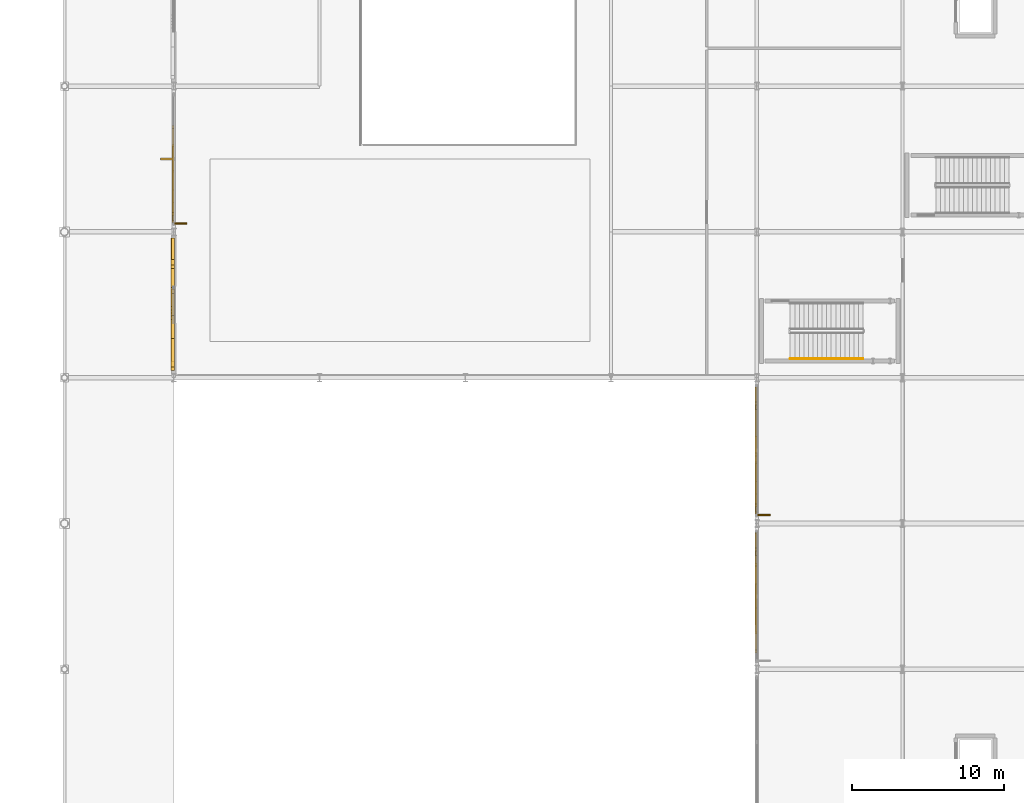
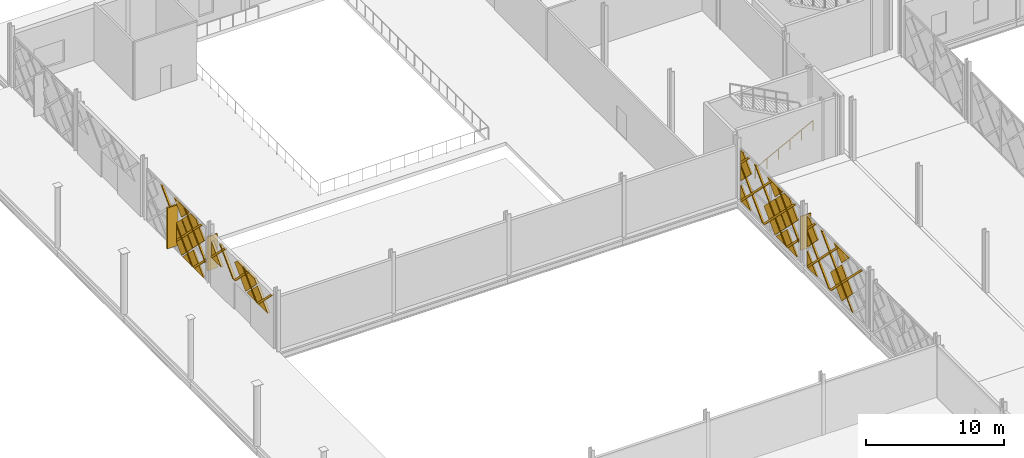
# One storey, part 73 of 84: 39 coverings, 2 shading devices, 1 railing.
"""IFC4 building model written with IfcOpenShell, lengths in metres."""

from ifc_helpers import new_model, si_unit, direction, frame, origin, origin_2d, place, context, subcontext, project, spatial, polyline, rectangle, circle, outline, extrude, material, layer, layer_set, type_object, element, save


model = new_model("IFC4")

# Units and contexts
model_context = context("Model", 3, precision=1e-05, world=origin(), true_north=direction((0.0, 1.0)))
body_context = subcontext(model_context, "Body", "Model", "MODEL_VIEW")
ifc_project = project(units=[si_unit("LENGTHUNIT", "METRE"), si_unit("AREAUNIT", "SQUARE_METRE"), si_unit("VOLUMEUNIT", "CUBIC_METRE"), si_unit("PLANEANGLEUNIT", "RADIAN"), si_unit("MASSUNIT", "GRAM", prefix="KILO")], contexts=[model_context])

# Site, building, storey
site_placement = place(None, origin())
site = spatial("IfcSite", under=ifc_project, at=site_placement, CompositionType="ELEMENT")
building_placement = place(site_placement, origin())
building = spatial("IfcBuilding", under=site, at=building_placement, Name="Zevrakil Square Congress Hotel", CompositionType="ELEMENT")
storey_placement = place(building_placement, origin())
storey = spatial("IfcBuildingStorey", under=building, at=storey_placement, Name="L01", CompositionType="ELEMENT", Elevation=0.0)

# Coverings
ifc_material_1 = material(Name="Architectural White Fibre-C GRC", Category="concrete")
ifc_layer_1 = layer(ifc_material_1, 0.06494140625)
ifc_layer_set_1 = layer_set([ifc_layer_1], Name="Architectural White Fibre-C GRC")
covering_type_1 = type_object("IfcCoveringType", Name="COV-DIA-WHITE", PredefinedType="CLADDING", material=ifc_layer_set_1)
covering_1_placement = place(storey_placement, frame((7.0400390625, 82.18994140625, 2.6298828125), z_axis=(-0.999999760208, 0.0, 0.00069252061), x_axis=(0.0, 1.0, 0.0)))
element("IfcCovering", 1, at=covering_1_placement, inside=storey, type_object=covering_type_1, Name="L01 45-degree white GRC diamond facade cassette 385", PredefinedType="CLADDING", context=body_context, shape_type="SweptSolid", body=[
    extrude(outline(polyline([(0.0, 0.0), (1.41015625, 0.0), (1.41015625, -1.4101565881448694), (0.0, 0.0)])), origin(), (0.0, 0.0, -1.0), 0.199951171875),
])
covering_2_placement = place(storey_placement, frame((7.041015625, 76.97998046875, 4.139892578125), z_axis=(-0.999999790873, 0.0, 0.000646725815), x_axis=(-0.000457304257, -0.707106707249, -0.707106707249)))
element("IfcCovering", 2, at=covering_2_placement, inside=storey, type_object=covering_type_1, Name="L01 45-degree white GRC diamond facade cassette 386", PredefinedType="CLADDING", context=body_context, shape_type="SweptSolid", body=[
    extrude(outline(polyline([(0.0, 0.0), (2.1354765131557993, 0.0), (4.465861884739297e-07, -2.1354765131557527), (0.0, 0.0)])), origin(), (0.0, 0.0, -1.0), 0.199951171875),
])
covering_3_placement = place(storey_placement, frame((7.041015625, 77.070068359375, 4.22998046875), z_axis=(-0.999999784495, 0.0, 0.000656513028), x_axis=(-0.000464260497, 0.707052424308, -0.70716098149)))
element("IfcCovering", 3, at=covering_3_placement, inside=storey, type_object=covering_type_1, Name="L01 45-degree white GRC diamond facade cassette 387", PredefinedType="CLADDING", context=body_context, shape_type="SweptSolid", body=[
    extrude(outline(polyline([(0.0, 0.0), (2.2485514444780814, 2.220446049250313e-16), (2.2483783756383535, -2.248724064666415), (1.8029839035337767, -2.248689892857733), (-3.430249636549032e-05, -0.44539447209453087), (0.0, 0.0)])), origin(), (0.0, 0.0, -1.0), 0.199951171875),
])
covering_4_placement = place(storey_placement, frame((7.10595703125, 86.360107421875, 1.590087890625), z_axis=(-0.999999790873, 0.0, 0.000646725815), x_axis=(-0.000457304257, -0.707106707249, -0.707106707249)))
element("IfcCovering", 4, at=covering_4_placement, inside=storey, type_object=covering_type_1, Name="L01 45-degree white GRC diamond facade cassette 394", PredefinedType="CLADDING", context=body_context, shape_type="SweptSolid", body=[
    extrude(outline(polyline([(0.0, 0.0), (2.1354765131557993, 0.0), (4.465861884739297e-07, -2.1354765131557527), (0.0, 0.0)])), origin(), (0.0, 0.0, -1.0), 0.1201171875),
])
covering_5_placement = place(storey_placement, frame((7.10693359375, 88.0400390625, 3.27001953125), z_axis=(-0.999999811377, 0.0, 0.000614203339), x_axis=(-0.000434307387, -0.707106714509, -0.707106714488)))
element("IfcCovering", 5, at=covering_5_placement, inside=storey, type_object=covering_type_1, Name="L01 45-degree white GRC diamond facade cassette 395", PredefinedType="CLADDING", context=body_context, shape_type="SweptSolid", body=[
    extrude(outline(polyline([(0.0, 0.0), (2.2487240723349844, 0.0), (2.2485518629555123, -2.248551438892285), (0.00017305757096663932, -2.248551438827165), (0.0, 0.0)])), origin(), (0.0, 0.0, -1.0), 0.1201171875),
])
covering_6_placement = place(storey_placement, frame((7.10693359375, 84.77001953125, 3.360107421875), z_axis=(-0.999999855953, 0.0, 0.000536744415), x_axis=(-0.000379535635, 0.707106744705, -0.707106715812)))
element("IfcCovering", 6, at=covering_6_placement, inside=storey, type_object=covering_type_1, Name="L01 45-degree white GRC diamond facade cassette 397", PredefinedType="CLADDING", context=body_context, shape_type="SweptSolid", body=[
    extrude(outline(polyline([(0.0, 0.0), (2.2487239763059987, 2.220446049250313e-16), (2.248551110785617, -2.248551342805579), (0.5727976514992238, -2.248378780155331), (0.0001723897352398085, -1.6757534593041905), (0.0, 0.0)])), origin(), (0.0, 0.0, -1.0), 0.1201171875),
])
covering_7_placement = place(storey_placement, frame((7.107177734375, 88.0400390625, 3.449951171875), z_axis=(-0.999999900573, 0.0, 0.000445930836), x_axis=(0.000315320734, 0.707106746034, 0.707106746034)))
element("IfcCovering", 7, at=covering_7_placement, inside=storey, type_object=covering_type_1, Name="L01 45-degree white GRC diamond facade cassette 398", PredefinedType="CLADDING", context=body_context, shape_type="SweptSolid", body=[
    extrude(outline(polyline([(0.0, 0.0), (1.548522495743182, 1.1102230246251565e-16), (1.5396520214316922e-07, -1.5485224957431742), (0.0, 0.0)])), origin(), (0.0, 0.0, -1.0), 0.1201171875),
])
covering_8_placement = place(storey_placement, frame((45.5048828125, 62.77001953125, 0.080078125), z_axis=(-0.999999760125, 0.0, 0.000692640526), x_axis=(0.0, 1.0, 0.0)))
element("IfcCovering", 8, at=covering_8_placement, inside=storey, type_object=covering_type_1, Name="L01 45-degree white GRC diamond facade cassette 452", PredefinedType="CLADDING", context=body_context, shape_type="SweptSolid", body=[
    extrude(outline(polyline([(0.0, 0.0), (1.409912109375, 0.0), (1.409912109375, -1.4099124475784228), (0.0, 0.0)])), origin(), (0.0, 0.0, -1.0), 0.1201171875),
])
covering_9_placement = place(storey_placement, frame((45.507080078125, 59.239990234375, 3.27001953125), z_axis=(-0.999999811377, 0.0, 0.000614203339), x_axis=(-0.000434307387, -0.707106714509, -0.707106714488)))
element("IfcCovering", 9, at=covering_9_placement, inside=storey, type_object=covering_type_1, Name="L01 45-degree white GRC diamond facade cassette 454", PredefinedType="CLADDING", context=body_context, shape_type="SweptSolid", body=[
    extrude(outline(polyline([(0.0, 0.0), (2.2487240723349844, 0.0), (2.2485518629555123, -2.248551438892285), (4.240957449663796e-07, -2.2487240723349444), (0.0, 0.0)])), origin(), (0.0, 0.0, -1.0), 0.1201171875),
])
covering_10_placement = place(storey_placement, frame((45.507080078125, 62.68994140625, 3.360107421875), z_axis=(-0.999999796877, -1.5124946e-05, 0.000637194918), x_axis=(-0.000461259844, 0.707106705284, -0.707106706645)))
element("IfcCovering", 10, at=covering_10_placement, inside=storey, type_object=covering_type_1, Name="L01 45-degree white GRC diamond facade cassette 455", PredefinedType="CLADDING", context=body_context, shape_type="SweptSolid", body=[
    extrude(outline(polyline([(0.0, 0.0), (2.1071646235448194, 0.0), (0.21579150176201334, -1.8913727160652014), (0.00017229402297236351, -1.6757534620850172), (0.0, 0.0)])), origin(), (0.0, 0.0, -1.0), 0.1201171875),
])
covering_11_placement = place(storey_placement, frame((45.507080078125, 59.239990234375, 3.449951171875), z_axis=(-0.999999776289, 0.0, 0.000668896171), x_axis=(0.000472981072, 0.707106702093, 0.707106702093)))
element("IfcCovering", 11, at=covering_11_placement, inside=storey, type_object=covering_type_1, Name="L01 45-degree white GRC diamond facade cassette 457", PredefinedType="CLADDING", context=body_context, shape_type="SweptSolid", body=[
    extrude(outline(polyline([(0.0, 0.0), (1.5485225919714303, 1.1102230246251565e-16), (3.464216833393152e-07, -1.5485225919713916), (0.0, 0.0)])), origin(), (0.0, 0.0, -1.0), 0.1201171875),
])
covering_12_placement = place(storey_placement, frame((45.5048828125, 72.3701171875, 0.080078125), z_axis=(-0.999999760125, 0.0, 0.000692640526), x_axis=(0.0, 1.0, 0.0)))
element("IfcCovering", 12, at=covering_12_placement, inside=storey, type_object=covering_type_1, Name="L01 45-degree white GRC diamond facade cassette 475", PredefinedType="CLADDING", context=body_context, shape_type="SweptSolid", body=[
    extrude(outline(polyline([(0.0, 0.0), (1.409912109375, 0.0), (1.409912109375, -1.4099124475784228), (0.0, 0.0)])), origin(), (0.0, 0.0, -1.0), 0.1201171875),
])
covering_13_placement = place(storey_placement, frame((45.506103515625, 67.159912109375, 1.590087890625), z_axis=(-0.999999673239, 0.0, 0.000808407173), x_axis=(-0.000571630288, -0.707106665659, -0.707106665659)))
element("IfcCovering", 13, at=covering_13_placement, inside=storey, type_object=covering_type_1, Name="L01 45-degree white GRC diamond facade cassette 476", PredefinedType="CLADDING", context=body_context, shape_type="SweptSolid", body=[
    extrude(outline(polyline([(0.0, 0.0), (2.1354766387581616, -2.220446049250313e-16), (6.977908784122633e-07, -2.135476638758047), (0.0, 0.0)])), origin(), (0.0, 0.0, -1.0), 0.1201171875),
])
covering_14_placement = place(storey_placement, frame((45.507080078125, 68.840087890625, 3.27001953125), z_axis=(-0.999999811377, 0.0, 0.000614203339), x_axis=(-0.000434307387, -0.707106714509, -0.707106714488)))
element("IfcCovering", 14, at=covering_14_placement, inside=storey, type_object=covering_type_1, Name="L01 45-degree white GRC diamond facade cassette 477", PredefinedType="CLADDING", context=body_context, shape_type="SweptSolid", body=[
    extrude(outline(polyline([(0.0, 0.0), (2.2487240723349844, 0.0), (2.2485518629555123, -2.248551438892285), (0.00017305757096663932, -2.248551438827165), (0.0, 0.0)])), origin(), (0.0, 0.0, -1.0), 0.1201171875),
])
covering_15_placement = place(storey_placement, frame((45.507080078125, 72.2900390625, 3.360107421875), z_axis=(-0.999999796877, -1.5124946e-05, 0.000637194918), x_axis=(-0.000461259844, 0.707106705284, -0.707106706645)))
element("IfcCovering", 15, at=covering_15_placement, inside=storey, type_object=covering_type_1, Name="L01 45-degree white GRC diamond facade cassette 478", PredefinedType="CLADDING", context=body_context, shape_type="SweptSolid", body=[
    extrude(outline(polyline([(0.0, 0.0), (2.1071646235448194, 0.0), (0.21579150176201334, -1.8913727160652014), (0.00017229402297236351, -1.6757534620850172), (0.0, 0.0)])), origin(), (0.0, 0.0, -1.0), 0.1201171875),
])
covering_16_placement = place(storey_placement, frame((45.507080078125, 65.570068359375, 3.360107421875), z_axis=(-0.999999810212, 0.0, 0.000616097645), x_axis=(-0.00043568031, 0.707052423992, -0.707160999992)))
element("IfcCovering", 16, at=covering_16_placement, inside=storey, type_object=covering_type_1, Name="L01 45-degree white GRC diamond facade cassette 479", PredefinedType="CLADDING", context=body_context, shape_type="SweptSolid", body=[
    extrude(outline(polyline([(0.0, 0.0), (2.2485514454846505, 2.220446049250313e-16), (2.248378374631862, -2.2487240656727514), (0.572624930769719, -2.248422777544064), (-0.00012896151653973842, -1.6755808236168326), (0.0, 0.0)])), origin(), (0.0, 0.0, -1.0), 0.1201171875),
])
covering_17_placement = place(storey_placement, frame((45.507080078125, 68.840087890625, 3.449951171875), z_axis=(-0.999999776289, 0.0, 0.000668896171), x_axis=(0.000472981072, 0.707106702093, 0.707106702093)))
element("IfcCovering", 17, at=covering_17_placement, inside=storey, type_object=covering_type_1, Name="L01 45-degree white GRC diamond facade cassette 480", PredefinedType="CLADDING", context=body_context, shape_type="SweptSolid", body=[
    extrude(outline(polyline([(0.0, 0.0), (1.5485225919714303, 1.1102230246251565e-16), (3.464216833393152e-07, -1.5485225919713916), (0.0, 0.0)])), origin(), (0.0, 0.0, -1.0), 0.1201171875),
])
ifc_material_2 = material(Name="Anodised Champagne Aluminium", Category="aluminium")
ifc_layer_2 = layer(ifc_material_2, 0.0849609375)
ifc_layer_set_2 = layer_set([ifc_layer_2], Name="Anodised Champagne Aluminium")
covering_type_2 = type_object("IfcCoveringType", Name="COV-DIAGRID-45", PredefinedType="MOLDING", material=ifc_layer_set_2)
covering_18_placement = place(storey_placement, frame((7.014892578125, 83.513916015625, 2.6298828125), z_axis=(-0.999999417886, 0.000393227079, 0.001004789027), x_axis=(0.000393226881, 0.999999922686, -3.9511e-07)))
element("IfcCovering", 18, at=covering_18_placement, inside=storey, type_object=covering_type_2, Name="L01 45-degree aluminium diagrid rib 388", PredefinedType="MOLDING", context=body_context, shape_type="SweptSolid", body=[
    extrude(outline(polyline([(0.0, 0.0), (0.08618163396197238, -4.562418066112793e-24), (0.08618168009353086, -0.12622088471854073), (-1.702881004357207, -1.915039322336141), (-1.9150391910794562, -1.915039322336141), (0.0, 0.0)])), origin(), (0.0, 0.0, -1.0), 0.22509765625),
])
covering_19_placement = place(storey_placement, frame((7.014892578125, 80.15380859375, 2.6298828125), z_axis=(-0.999999796842, 0.0, 0.000637429753), x_axis=(0.0, 1.0, 0.0)))
element("IfcCovering", 19, at=covering_19_placement, inside=storey, type_object=covering_type_2, Name="L01 45-degree aluminium diagrid rib 389", PredefinedType="MOLDING", context=body_context, shape_type="SweptSolid", body=[
    extrude(outline(polyline([(0.0, 0.0), (0.21240234375, 0.0), (-1.70263671875, -1.9150394515562854), (-1.914794921875, -1.9150394515562854), (0.0, 0.0)])), origin(), (0.0, 0.0, -1.0), 0.22509765625),
])
covering_20_placement = place(storey_placement, frame((7.014892578125, 76.7939453125, 2.6298828125), z_axis=(-0.999999796842, 0.0, 0.000637429753), x_axis=(0.0, 1.0, 0.0)))
element("IfcCovering", 20, at=covering_20_placement, inside=storey, type_object=covering_type_2, Name="L01 45-degree aluminium diagrid rib 390", PredefinedType="MOLDING", context=body_context, shape_type="SweptSolid", body=[
    extrude(outline(polyline([(0.0, 0.0), (0.212158203125, 0.0), (-1.702880859375, -1.9150394515562854), (-1.9150390625, -1.9150394515562854), (0.0, 0.0)])), origin(), (0.0, 0.0, -1.0), 0.22509765625),
])
for number, where, z_axis, x_axis, name in (
    (21, (7.01611328125, 82.441162109375, 4.544921875), (-0.999999796842, 0.0, 0.000637429753), (0.0, -1.0, 0.0), "L01 45-degree aluminium diagrid rib 391"),
    (22, (7.01611328125, 79.0810546875, 4.544921875), (-0.999999796842, 0.0, 0.000637429753), (0.0, -1.0, 0.0), "L01 45-degree aluminium diagrid rib 392"),
):
    element("IfcCovering", number, at=place(storey_placement, frame(where, z_axis=z_axis, x_axis=x_axis)), inside=storey, type_object=covering_type_2, Name=name, PredefinedType="MOLDING", context=body_context, shape_type="SweptSolid", body=[
        extrude(outline(polyline([(0.0, 0.0), (0.212158203125, 0.0), (2.127197265625, -1.9150394515562854), (1.9150390625, -1.9150394515562854), (0.0, 0.0)])), origin(), (0.0, 0.0, -1.0), 0.22509765625),
    ])
covering_21_placement = place(storey_placement, frame((7.080078125, 89.533935546875, 0.080078125), z_axis=(-0.999999819107, 0.0, 0.000601487205), x_axis=(0.0, 1.0, 0.0)))
element("IfcCovering", 23, at=covering_21_placement, inside=storey, type_object=covering_type_2, Name="L01 45-degree aluminium diagrid rib 401", PredefinedType="MOLDING", context=body_context, shape_type="SweptSolid", body=[
    extrude(outline(polyline([(0.0, 0.0), (0.212158203125, 0.0), (-4.2529296875, -4.464844557661115), (-4.465087890625, -4.464844557661115), (0.0, 0.0)])), origin(), (0.0, 0.0, -1.0), 0.14501953125),
])
covering_22_placement = place(storey_placement, frame((7.080078125, 86.173828125, 0.080078125), z_axis=(-0.999999913463, -0.000294340865, 0.000294002542), x_axis=(-0.000294340852, 0.999999956682, 8.6537e-08)))
element("IfcCovering", 24, at=covering_22_placement, inside=storey, type_object=covering_type_2, Name="L01 45-degree aluminium diagrid rib 402", PredefinedType="MOLDING", context=body_context, shape_type="SweptSolid", body=[
    extrude(outline(polyline([(0.0, 0.0), (0.21215819393467297, 0.0), (-1.553711004804078, -1.7661134920326582), (-1.5537110231847324, -1.5537111574624223), (0.0, 0.0)])), origin(), (0.0, 0.0, -1.0), 0.14501953125),
])
covering_23_placement = place(storey_placement, frame((7.082763671875, 91.010986328125, 4.544921875), z_axis=(-0.999999819107, 0.0, 0.000601487205), x_axis=(0.0, -1.0, 0.0)))
element("IfcCovering", 25, at=covering_23_placement, inside=storey, type_object=covering_type_2, Name="L01 45-degree aluminium diagrid rib 404", PredefinedType="MOLDING", context=body_context, shape_type="SweptSolid", body=[
    extrude(outline(polyline([(0.0, 0.0), (0.212158203125, 0.0), (4.677001953125, -4.464844557661115), (4.46484375, -4.464844557661115), (0.0, 0.0)])), origin(), (0.0, 0.0, -1.0), 0.14501953125),
])
covering_24_placement = place(storey_placement, frame((7.082763671875, 87.651123046875, 4.544921875), z_axis=(-0.999999570971, -0.000262365241, 0.000888382251), x_axis=(0.000262365138, -0.999999965582, -2.33081e-07)))
element("IfcCovering", 26, at=covering_24_placement, inside=storey, type_object=covering_type_2, Name="L01 45-degree aluminium diagrid rib 405", PredefinedType="MOLDING", context=body_context, shape_type="SweptSolid", body=[
    extrude(outline(polyline([(0.0, 0.0), (0.21215819582298975, 0.0), (3.031005963695437, -2.8188480621314063), (3.0310059490914165, -3.03100639842652), (0.0, 0.0)])), origin(), (0.0, 0.0, -1.0), 0.14501953125),
])
covering_25_placement = place(storey_placement, frame((45.48193359375, 64.179931640625, 3.35400390625), z_axis=(-0.99999958981, 0.000294064094, 0.00085668342), x_axis=(0.000856683482, 8.6474e-08, 0.999999633047)))
element("IfcCovering", 27, at=covering_25_placement, inside=storey, type_object=covering_type_2, Name="L01 45-degree aluminium diagrid rib 458", PredefinedType="MOLDING", context=body_context, shape_type="SweptSolid", body=[
    extrude(outline(polyline([(0.0, 0.0), (0.21215833442407417, 0.0), (1.190918074555448, -0.9787599109265143), (1.1909180562093564, -1.1909181048784618), (0.0, 0.0)])), origin(), (0.0, 0.0, -1.0), 0.14501953125),
])
covering_26_placement = place(storey_placement, frame((45.47998046875, 64.093994140625, 0.080078125), z_axis=(-0.999999892865, -0.000180190457, 0.000426380907), x_axis=(-0.000180190441, 0.999999983766, 7.683e-08)))
element("IfcCovering", 28, at=covering_26_placement, inside=storey, type_object=covering_type_2, Name="L01 45-degree aluminium diagrid rib 459", PredefinedType="MOLDING", context=body_context, shape_type="SweptSolid", body=[
    extrude(outline(polyline([(0.0, 0.0), (0.0859374986048648, 0.0), (0.08593750828361532, -0.1259765510486869), (-4.252929759333611, -4.46484448921009), (-4.465087959014371, -4.46484448921009), (0.0, 0.0)])), origin(), (0.0, 0.0, -1.0), 0.14501953125),
])
covering_27_placement = place(storey_placement, frame((45.47998046875, 60.73388671875, 0.080078125), z_axis=(-0.999999819107, 0.0, 0.000601487205), x_axis=(0.0, 1.0, 0.0)))
element("IfcCovering", 29, at=covering_27_placement, inside=storey, type_object=covering_type_2, Name="L01 45-degree aluminium diagrid rib 460", PredefinedType="MOLDING", context=body_context, shape_type="SweptSolid", body=[
    extrude(outline(polyline([(0.0, 0.0), (0.212158203125, 0.0), (-4.252685546875, -4.464844557661115), (-4.465087890625, -4.464844557661115), (0.0, 0.0)])), origin(), (0.0, 0.0, -1.0), 0.14501953125),
])
covering_28_placement = place(storey_placement, frame((45.48193359375, 64.179931640625, 3.15380859375), z_axis=(-0.999999905689, 0.000307101698, 0.000307101698), x_axis=(0.000307101684, -9.4311e-08, 0.999999952844)))
element("IfcCovering", 30, at=covering_28_placement, inside=storey, type_object=covering_type_2, Name="L01 45-degree aluminium diagrid rib 462", PredefinedType="MOLDING", context=body_context, shape_type="SweptSolid", body=[
    extrude(outline(polyline([(0.0, 0.0), (0.21240233373401293, 2.81112161297318e-24), (-3.0737306136940044, -3.2861332573480344), (-3.0737306337259787, -3.0737309236140224), (0.0, 0.0)])), origin(), (0.0, 0.0, -1.0), 0.14501953125),
])
covering_29_placement = place(storey_placement, frame((45.482666015625, 62.211181640625, 4.544921875), z_axis=(-0.999999819107, 0.0, 0.000601487205), x_axis=(0.0, -1.0, 0.0)))
element("IfcCovering", 31, at=covering_29_placement, inside=storey, type_object=covering_type_2, Name="L01 45-degree aluminium diagrid rib 463", PredefinedType="MOLDING", context=body_context, shape_type="SweptSolid", body=[
    extrude(outline(polyline([(0.0, 0.0), (0.21240234375, 0.0), (4.67724609375, -4.464844557661115), (4.465087890625, -4.464844557661115), (0.0, 0.0)])), origin(), (0.0, 0.0, -1.0), 0.14501953125),
])
covering_30_placement = place(storey_placement, frame((45.48193359375, 73.780029296875, 3.35400390625), z_axis=(-0.999999589791, 0.000294031009, 0.000856716506), x_axis=(0.000856716568, 8.6454e-08, 0.999999633018)))
element("IfcCovering", 32, at=covering_30_placement, inside=storey, type_object=covering_type_2, Name="L01 45-degree aluminium diagrid rib 481", PredefinedType="MOLDING", context=body_context, shape_type="SweptSolid", body=[
    extrude(outline(polyline([(0.0, 0.0), (0.21215833442613818, 0.0), (1.190918074543862, -0.9790040515293733), (1.1909180562018982, -1.191162245483385), (0.0, 0.0)])), origin(), (0.0, 0.0, -1.0), 0.14501953125),
])
covering_31_placement = place(storey_placement, frame((45.47998046875, 73.69384765625, 0.080078125), z_axis=(-0.999999892841, -0.000180085904, 0.000426482509), x_axis=(-0.000180085888, 0.999999983785, 7.6803e-08)))
element("IfcCovering", 33, at=covering_31_placement, inside=storey, type_object=covering_type_2, Name="L01 45-degree aluminium diagrid rib 482", PredefinedType="MOLDING", context=body_context, shape_type="SweptSolid", body=[
    extrude(outline(polyline([(0.0, 0.0), (0.08618163922752449, 0.0), (0.08618164890296409, -0.12597655104322877), (-4.252685618629233, -4.464844489289502), (-4.464843818313988, -4.464844489289502), (0.0, 0.0)])), origin(), (0.0, 0.0, -1.0), 0.14501953125),
])
covering_32_placement = place(storey_placement, frame((45.47998046875, 70.333984375, 0.080078125), z_axis=(-0.999999819107, 0.0, 0.000601487205), x_axis=(0.0, 1.0, 0.0)))
element("IfcCovering", 34, at=covering_32_placement, inside=storey, type_object=covering_type_2, Name="L01 45-degree aluminium diagrid rib 483", PredefinedType="MOLDING", context=body_context, shape_type="SweptSolid", body=[
    extrude(outline(polyline([(0.0, 0.0), (0.212158203125, 0.0), (-4.2529296875, -4.464844557661115), (-4.465087890625, -4.464844557661115), (0.0, 0.0)])), origin(), (0.0, 0.0, -1.0), 0.14501953125),
])
covering_33_placement = place(storey_placement, frame((45.47998046875, 66.973876953125, 0.080078125), z_axis=(-0.999999560023, 0.000243912728, 0.000905792413), x_axis=(0.000243912628, 0.999999970253, -2.20934e-07)))
element("IfcCovering", 35, at=covering_33_placement, inside=storey, type_object=covering_type_2, Name="L01 45-degree aluminium diagrid rib 484", PredefinedType="MOLDING", context=body_context, shape_type="SweptSolid", body=[
    extrude(outline(polyline([(0.0, 0.0), (0.21215819681399145, 0.0), (-1.5539551243500522, -1.766113662440911), (-1.5539551369720694, -1.5537111846840042), (0.0, 0.0)])), origin(), (0.0, 0.0, -1.0), 0.14501953125),
])
covering_34_placement = place(storey_placement, frame((45.48193359375, 73.780029296875, 3.15380859375), z_axis=(-0.999999905692, 0.000307272394, 0.000306919207), x_axis=(0.000306919193, -9.4308e-08, 0.9999999529)))
element("IfcCovering", 36, at=covering_34_placement, inside=storey, type_object=covering_type_2, Name="L01 45-degree aluminium diagrid rib 485", PredefinedType="MOLDING", context=body_context, shape_type="SweptSolid", body=[
    extrude(outline(polyline([(0.0, 0.0), (0.2124023337459131, 2.81112161297318e-24), (-3.073730613521793, -3.286133257509114), (-3.0737306335299674, -3.0739750643997144), (0.0, 0.0)])), origin(), (0.0, 0.0, -1.0), 0.14501953125),
])
covering_35_placement = place(storey_placement, frame((45.482666015625, 71.81103515625, 4.544921875), z_axis=(-0.999999819107, 0.0, 0.000601487205), x_axis=(0.0, -1.0, 0.0)))
element("IfcCovering", 37, at=covering_35_placement, inside=storey, type_object=covering_type_2, Name="L01 45-degree aluminium diagrid rib 486", PredefinedType="MOLDING", context=body_context, shape_type="SweptSolid", body=[
    extrude(outline(polyline([(0.0, 0.0), (0.212158203125, 0.0), (4.67724609375, -4.464844557661115), (4.46484375, -4.464844557661115), (0.0, 0.0)])), origin(), (0.0, 0.0, -1.0), 0.14501953125),
])
covering_36_placement = place(storey_placement, frame((45.482666015625, 68.451171875, 4.544921875), z_axis=(-0.999999914661, 0.00029212918, 0.00029212918), x_axis=(-0.000292129167, -0.99999995733, 8.5339e-08)))
element("IfcCovering", 38, at=covering_36_placement, inside=storey, type_object=covering_type_2, Name="L01 45-degree aluminium diagrid rib 487", PredefinedType="MOLDING", context=body_context, shape_type="SweptSolid", body=[
    extrude(outline(polyline([(0.0, 0.0), (0.2121581940722668, 2.8078904387053947e-24), (3.0312501293426233, -2.8188480352147467), (3.0312501112371564, -3.031006229287013), (0.0, 0.0)])), origin(), (0.0, 0.0, -1.0), 0.14501953125),
])
ifc_material_3 = material(Name="Architectural White Fibre-C GRC", Category="concrete")
ifc_layer_3 = layer(ifc_material_3, 0.139892578125)
ifc_layer_set_3 = layer_set([ifc_layer_3], Name="Architectural White Fibre-C GRC")
covering_type_3 = type_object("IfcCoveringType", Name="COV-FIN-GRC90", PredefinedType="MOLDING", material=ifc_layer_set_3)
covering_37_placement = place(storey_placement, frame((6.780029296875, 88.800048828125, 0.512451171875), z_axis=(0.0, 0.0, 1.0), x_axis=(-1.0, 0.0, 0.0)))
element("IfcCovering", 39, at=covering_37_placement, inside=storey, type_object=covering_type_3, Name="L01 highland sun-breaker GRC fin 406", PredefinedType="MOLDING", context=body_context, shape_type="SweptSolid", body=[
    extrude(rectangle(XDim=0.89990234375, YDim=0.139892578125, at=origin_2d()), origin(), (0.0, 0.0, 1.0), 3.60009765625),
])

# Railing
ifc_material_4 = material(Name="Steel S355", Category="steel")
railing_type = type_object("IfcRailingType", Name="RLG-STAIR-HAND-900", PredefinedType="HANDRAIL", material=ifc_material_4)
railing_placement = place(storey_placement, frame((47.800048828125, 75.64990234375, 0.158935546875)))
element("IfcRailing", 40, at=railing_placement, inside=storey, type_object=railing_type, Name="L01 ST14 stair handrail 1", PredefinedType="HANDRAIL", context=body_context, shape_type="SweptSolid", body=[
    extrude(circle(Radius=0.02392578125, at=origin_2d()), frame((0.0, 0.0, 0.8759765625), z_axis=(0.883802130504, 0.0, 0.467860870469), x_axis=(0.0, 1.0, 0.0)), (0.0, 0.0, 1.0), 5.43115234375),
    extrude(circle(Radius=0.02099609375, at=origin_2d()), origin(), (0.0, 0.0, 1.0), 0.851806640625),
    extrude(circle(Radius=0.02099609375, at=origin_2d()), frame((0.9599609375, 0.0, 0.50830078125)), (0.0, 0.0, 1.0), 0.851806640625),
    extrude(circle(Radius=0.02099609375, at=origin_2d()), frame((1.919921875, 0.0, 1.016357421875)), (0.0, 0.0, 1.0), 0.851806640625),
    extrude(circle(Radius=0.02099609375, at=origin_2d()), frame((2.880126953125, 0.0, 1.524658203125)), (0.0, 0.0, 1.0), 0.851806640625),
    extrude(circle(Radius=0.02099609375, at=origin_2d()), frame((3.840087890625, 0.0, 2.03271484375)), (0.0, 0.0, 1.0), 0.851806640625),
    extrude(circle(Radius=0.02099609375, at=origin_2d()), frame((4.800048828125, 0.0, 2.541015625)), (0.0, 0.0, 1.0), 0.851806640625),
])

# Shading devices
ifc_material_5 = material(Name="Aluminium Anodised Bronze", Category="aluminium")
shading_device_type = type_object("IfcShadingDeviceType", Name="SHD-FIN-85", PredefinedType="USERDEFINED", material=ifc_material_5)
for number, where, z_axis, x_axis, name in (
    (41, (7.64501953125, 84.56005859375, 0.8125), (0.0, 0.0, 1.0), (1.0, 0.0, 0.0), "L01 aluminium solar shading fin 21"),
    (42, (46.044921875, 65.360107421875, 0.8125), (0.0, 0.0, 1.0), (1.0, 0.0, 0.0), "L01 aluminium solar shading fin 27"),
):
    element("IfcShadingDevice", number, at=place(storey_placement, frame(where, z_axis=z_axis, x_axis=x_axis)), inside=storey, type_object=shading_device_type, Name=name, ObjectType="SOLAR FIN", PredefinedType="USERDEFINED", context=body_context, shape_type="SweptSolid", body=[
        extrude(rectangle(XDim=0.85009765625, YDim=0.080078125, at=origin_2d()), origin(), (0.0, 0.0, 1.0), 3.0),
    ])

save(model, "model.ifc")
